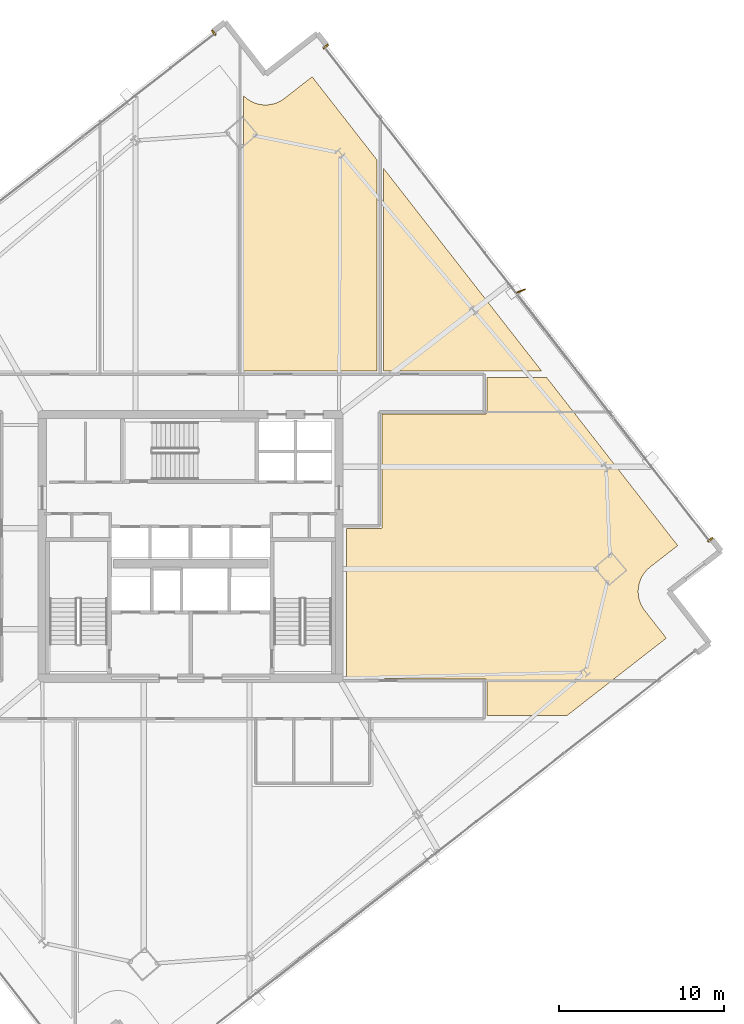
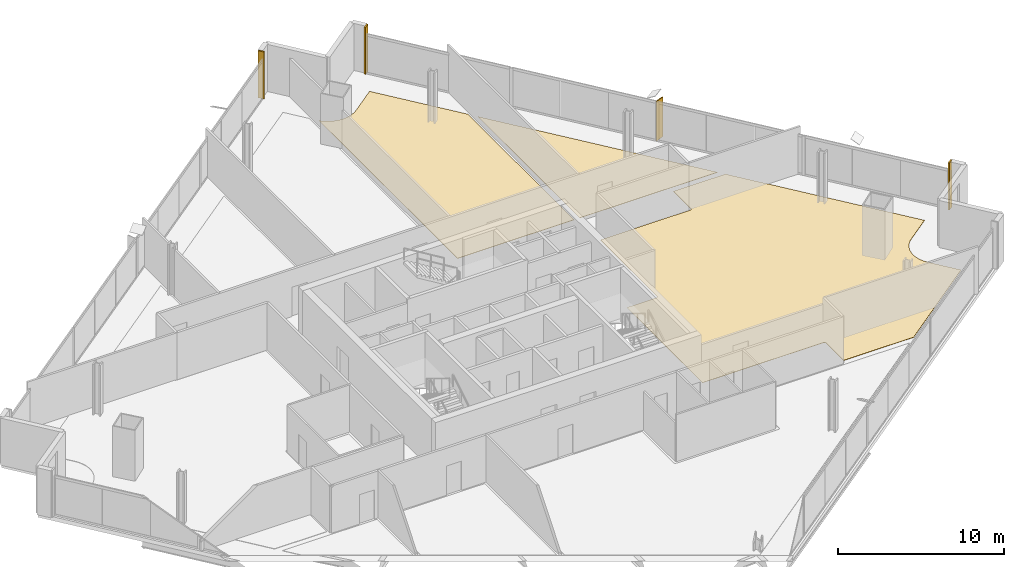
# One storey, part 32 of 32: 6 coverings, 1 shading device.
"""IFC4 building model written with IfcOpenShell, lengths in metres."""

from ifc_helpers import new_model, si_unit, direction, frame, origin, origin_2d, place, context, subcontext, project, spatial, polyline, rectangle, outline, extrude, source, transform, mapped, material, layer, layer_set, type_object, element, save


model = new_model("IFC4")

# Units and contexts
model_context = context("Model", 3, precision=1e-05, world=origin(), true_north=direction((0.0, 1.0)))
body_context = subcontext(model_context, "Body", "Model", "MODEL_VIEW")
ifc_project = project(units=[si_unit("LENGTHUNIT", "METRE"), si_unit("AREAUNIT", "SQUARE_METRE"), si_unit("VOLUMEUNIT", "CUBIC_METRE"), si_unit("PLANEANGLEUNIT", "RADIAN"), si_unit("MASSUNIT", "GRAM", prefix="KILO")], contexts=[model_context])

# Site, building, storey
site_placement = place(None, origin())
site = spatial("IfcSite", under=ifc_project, at=site_placement, CompositionType="ELEMENT")
building_placement = place(site_placement, origin())
building = spatial("IfcBuilding", under=site, at=building_placement, Name="Haldenkirk Collegiate Tower", CompositionType="ELEMENT")
storey_placement = place(building_placement, frame((0.0, 0.0, 155.699951171875)))
storey = spatial("IfcBuildingStorey", under=building, at=storey_placement, Name="L38", CompositionType="ELEMENT", Elevation=155.699951171875)

# Coverings
ifc_material_1 = material(Name="Polished collegiate terrazzo", Category="concrete")
ifc_layer_1 = layer(ifc_material_1, 0.02490234375)
ifc_layer_set_1 = layer_set([ifc_layer_1], Name="Polished collegiate terrazzo")
covering_type_1 = type_object("IfcCoveringType", Name="COV-FLOOR-TERRAZZO", PredefinedType="FLOORING", material=ifc_layer_set_1)
covering_1_placement = place(storey_placement, origin())
element("IfcCovering", 1, at=covering_1_placement, inside=storey, type_object=covering_type_1, Name="L38 academic room finish 08", PredefinedType="FLOORING", context=body_context, shape_type="SweptSolid", body=[
    extrude(outline(polyline([(39.199951171875, 53.34814453125), (39.314453125, 53.239013671875), (39.323486328125, 53.2314453125), (39.458740234375, 53.125732421875), (39.46826171875, 53.118896484375), (39.61328125, 53.027099609375), (39.623779296875, 53.02099609375), (39.777099609375, 52.94384765625), (39.78759765625, 52.939208984375), (39.947998046875, 52.877197265625), (39.958984375, 52.87353515625), (40.12451171875, 52.82763671875), (40.13623046875, 52.8251953125), (40.305419921875, 52.795654296875), (40.31689453125, 52.794189453125), (40.48828125, 52.781494140625), (40.5, 52.78125), (40.671875, 52.785400390625), (40.68359375, 52.786376953125), (40.85400390625, 52.807373046875), (40.865478515625, 52.809326171875), (41.033203125, 52.8466796875), (41.044677734375, 52.85009765625), (41.207763671875, 52.90380859375), (41.218505859375, 52.908203125), (41.37548828125, 52.9775390625), (41.385986328125, 52.98291015625), (41.53564453125, 53.0673828125), (41.545654296875, 53.07373046875), (41.68603515625, 53.172607421875), (41.690673828125, 53.176025390625), (43.370361328125, 54.486083984375), (47.300048828125, 49.447265625), (47.300048828125, 36.64990234375), (39.199951171875, 36.64990234375), (39.199951171875, 53.34814453125)])), origin(), (0.0, 0.0, 1.0), 0.025146484375),
])
ifc_material_2 = material(Name="Engineered collegiate oak acoustic flooring", Category="wood")
ifc_layer_2 = layer(ifc_material_2, 0.02197265625)
ifc_layer_set_2 = layer_set([ifc_layer_2], Name="Engineered collegiate oak acoustic flooring")
covering_type_2 = type_object("IfcCoveringType", Name="COV-FLOOR-TIMBER", PredefinedType="FLOORING", material=ifc_layer_set_2)
covering_2_placement = place(storey_placement, origin())
element("IfcCovering", 2, at=covering_2_placement, inside=storey, type_object=covering_type_2, Name="L38 academic room finish 09", PredefinedType="FLOORING", context=body_context, shape_type="SweptSolid", body=[
    extrude(outline(polyline([(57.2802734375, 36.64990234375), (47.699951171875, 36.64990234375), (47.699951171875, 48.934326171875), (57.2802734375, 36.64990234375)])), origin(), (0.0, 0.0, 1.0), 0.02197265625),
])
covering_3_placement = place(storey_placement, origin())
element("IfcCovering", 3, at=covering_3_placement, inside=storey, type_object=covering_type_2, Name="L38 academic room finish 11", PredefinedType="FLOORING", context=body_context, shape_type="SweptSolid", body=[
    extrude(outline(polyline([(63.86669921875, 24.7412109375), (63.862060546875, 24.7373046875), (63.73193359375, 24.625244140625), (63.723388671875, 24.6171875), (63.60498046875, 24.492919921875), (63.597412109375, 24.48388671875), (63.49169921875, 24.348388671875), (63.485107421875, 24.3388671875), (63.39306640625, 24.19384765625), (63.38720703125, 24.18359375), (63.309814453125, 24.030029296875), (63.30517578125, 24.01953125), (63.243408203125, 23.859375), (63.239501953125, 23.84814453125), (63.193603515625, 23.6826171875), (63.191162109375, 23.6708984375), (63.16162109375, 23.501708984375), (63.16015625, 23.490234375), (63.1474609375, 23.31884765625), (63.147216796875, 23.30712890625), (63.1513671875, 23.135498046875), (63.15234375, 23.12353515625), (63.17333984375, 22.953125), (63.17529296875, 22.941650390625), (63.212890625, 22.774169921875), (63.216064453125, 22.7626953125), (63.27001953125, 22.599609375), (63.274169921875, 22.588623046875), (63.343505859375, 22.431640625), (63.348876953125, 22.421142578125), (63.43359375, 22.271484375), (63.439697265625, 22.26171875), (63.53857421875, 22.12109375), (63.5419921875, 22.116455078125), (64.85205078125, 20.43701171875), (58.84228515625, 15.75), (53.969970703125, 15.75), (53.969970703125, 17.85009765625), (53.969482421875, 17.86181640625), (53.9677734375, 17.873291015625), (53.96484375, 17.884765625), (53.9609375, 17.89599609375), (53.955810546875, 17.906494140625), (53.94970703125, 17.916748046875), (53.94287109375, 17.926025390625), (53.934814453125, 17.934814453125), (53.926025390625, 17.94287109375), (53.916748046875, 17.94970703125), (53.906494140625, 17.955810546875), (53.89599609375, 17.9609375), (53.884765625, 17.96484375), (53.873291015625, 17.9677734375), (53.86181640625, 17.969482421875), (53.85009765625, 17.969970703125), (45.449951171875, 17.969970703125), (45.449951171875, 27.080078125), (47.5, 27.080078125), (47.51171875, 27.08056640625), (47.5234375, 27.082275390625), (47.534912109375, 27.085205078125), (47.5458984375, 27.089111328125), (47.556640625, 27.09423828125), (47.566650390625, 27.10009765625), (47.576171875, 27.107177734375), (47.5849609375, 27.114990234375), (47.5927734375, 27.123779296875), (47.599853515625, 27.13330078125), (47.605712890625, 27.143310546875), (47.61083984375, 27.154052734375), (47.61474609375, 27.165283203125), (47.61767578125, 27.176513671875), (47.619384765625, 27.188232421875), (47.6201171875, 27.199951171875), (47.6201171875, 34.030029296875), (53.85009765625, 34.030029296875), (53.86181640625, 34.030517578125), (53.873291015625, 34.0322265625), (53.884765625, 34.03515625), (53.89599609375, 34.0390625), (53.906494140625, 34.044189453125), (53.916748046875, 34.05029296875), (53.926025390625, 34.05712890625), (53.934814453125, 34.065185546875), (53.94287109375, 34.073974609375), (53.94970703125, 34.083251953125), (53.955810546875, 34.093505859375), (53.9609375, 34.10400390625), (53.96484375, 34.115234375), (53.9677734375, 34.126708984375), (53.969482421875, 34.13818359375), (53.969970703125, 34.14990234375), (53.969970703125, 36.25), (57.59228515625, 36.25), (65.54638671875, 26.051025390625), (63.86669921875, 24.7412109375)])), origin(), (0.0, 0.0, 1.0), 0.02197265625),
])
ifc_material_3 = material(Name="Anodised architectural bronze aluminium", Category="aluminium")
ifc_layer_3 = layer(ifc_material_3, 0.06005859375)
ifc_layer_set_3 = layer_set([ifc_layer_3], Name="Anodised architectural bronze aluminium")
covering_type_3 = type_object("IfcCoveringType", Name="COV-CLAD-BRONZE-60", PredefinedType="CLADDING", material=ifc_layer_set_3)
shared_shape_1 = source(origin(), body_context, "Body", "SweptSolid", [
    extrude(rectangle(XDim=0.10009765625, YDim=0.3798828125, at=origin_2d()), origin(), (0.0, 0.0, 1.0), 3.4599609375),
])
for number, where, z_axis, x_axis, name in (
    (4, (44.19580078125, 56.322021484375, 0.0), (0.0, 0.0, 1.0), (0.614973571877, -0.788547719477, 0.0), "L38 recessed curtain-wall bronze jamb closure EJL"),
    (5, (67.528076171875, 26.404296875, 0.0), (0.0, 0.0, 1.0), (0.614973571877, -0.788547719477, 0.0), "L38 recessed curtain-wall bronze jamb closure EJR"),
    (6, (37.40283203125, 57.162109375, 0.0), (0.0, 0.0, 1.0), (0.788547719477, 0.614973571877, 0.0), "L38 recessed curtain-wall bronze jamb closure NJR"),
):
    element("IfcCovering", number, at=place(storey_placement, frame(where, z_axis=z_axis, x_axis=x_axis)), inside=storey, type_object=covering_type_3, Name=name, PredefinedType="CLADDING", context=body_context, shape_type="MappedRepresentation", body=[
        mapped(shared_shape_1, transform((0.0, 0.0, 0.0), x_axis=(1.0, 0.0, 0.0), y_axis=(0.0, 1.0, 0.0), z_axis=(0.0, 0.0, 1.0), scale=1.0)),
    ])

# Shading device
ifc_layer_4 = layer(ifc_material_3, 0.06494140625)
ifc_layer_set_4 = layer_set([ifc_layer_4], Name="Anodised architectural bronze aluminium")
shading_device_type = type_object("IfcShadingDeviceType", Name="SHD-FIN-BRONZE-620", PredefinedType="USERDEFINED", material=ifc_layer_set_4)
shared_shape_2 = source(origin(), body_context, "Body", "SweptSolid", [
    extrude(rectangle(XDim=0.6201171875, YDim=0.06494140625, at=origin_2d()), origin(), (0.0, 0.0, 1.0), 2.910888671875),
])
shading_device_placement = place(storey_placement, frame((56.023681640625, 41.4892578125, 0.0), z_axis=(0.0, 0.0, 1.0), x_axis=(0.927510407403, 0.373797330327, 0.0)))
element("IfcShadingDevice", 7, at=shading_device_placement, inside=storey, type_object=shading_device_type, Name="L38 folded bronze solar fin 1", ObjectType="FIN", PredefinedType="USERDEFINED", context=body_context, shape_type="MappedRepresentation", body=[
    mapped(shared_shape_2, transform((0.0, 0.0, 0.0), x_axis=(1.0, 0.0, 0.0), y_axis=(0.0, 1.0, 0.0), z_axis=(0.0, 0.0, 1.0), scale=1.0)),
])

save(model, "model.ifc")
